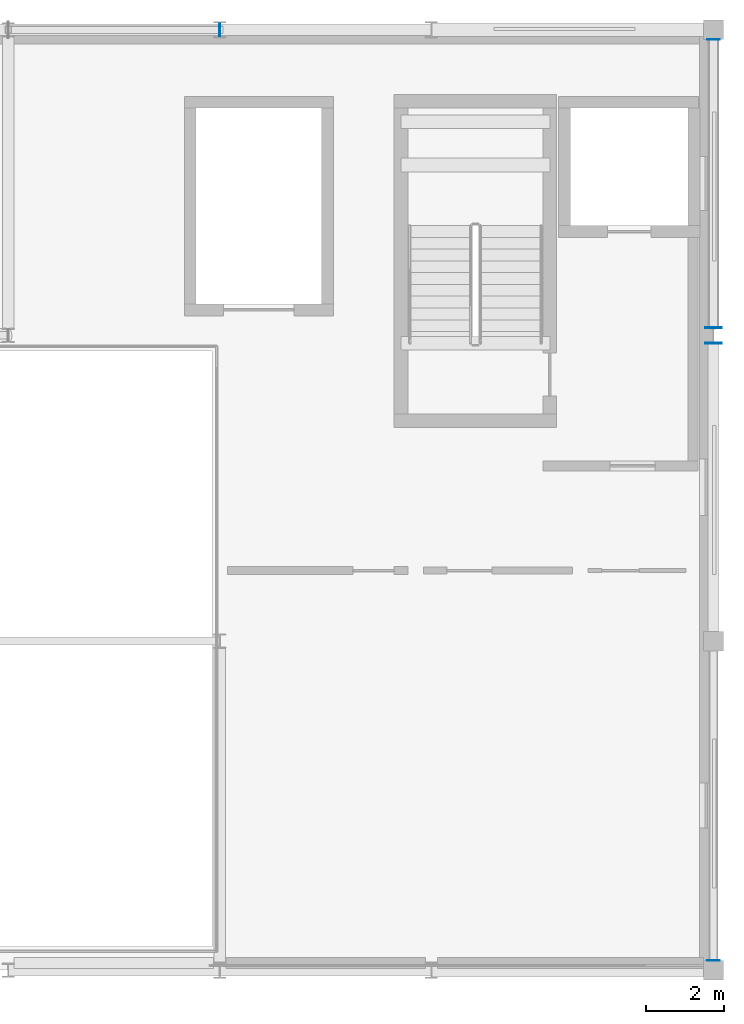
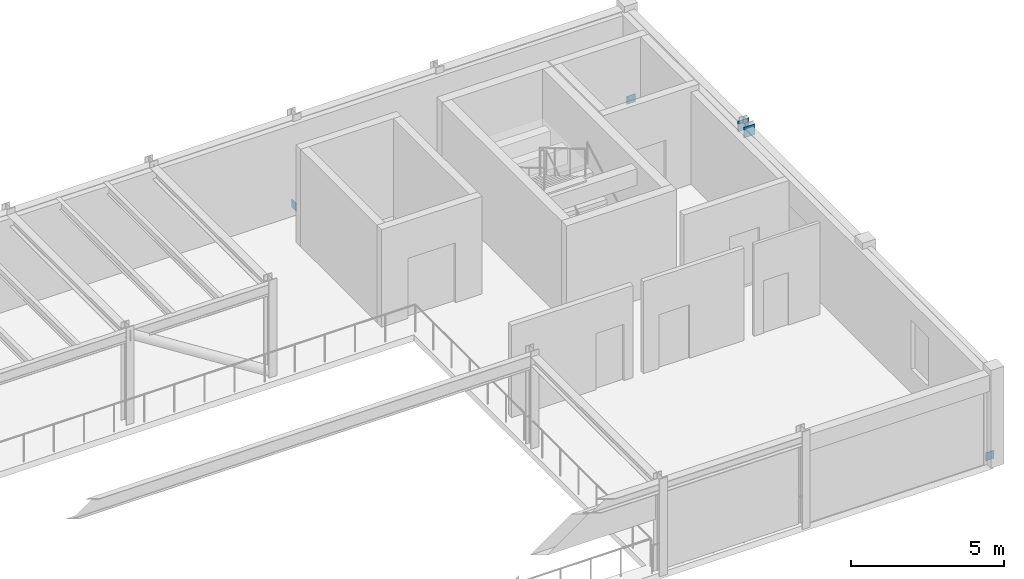
# One storey, part 6 of 12: 5 plates.
"""IFC4 building model written with IfcOpenShell, lengths in metres."""

from ifc_helpers import new_model, si_unit, direction, frame, origin, origin_2d, place, context, subcontext, project, spatial, rectangle, extrude, material, layer, layer_set, type_object, element, save


model = new_model("IFC4")

# Units and contexts
model_context = context("Model", 3, precision=1e-05, world=origin(), true_north=direction((0.0, 1.0)))
body_context = subcontext(model_context, "Body", "Model", "MODEL_VIEW")
ifc_project = project(units=[si_unit("LENGTHUNIT", "METRE"), si_unit("AREAUNIT", "SQUARE_METRE"), si_unit("VOLUMEUNIT", "CUBIC_METRE"), si_unit("PLANEANGLEUNIT", "RADIAN"), si_unit("MASSUNIT", "GRAM", prefix="KILO")], contexts=[model_context])

# Site, building, storey
site_placement = place(None, origin())
site = spatial("IfcSite", under=ifc_project, at=site_placement, CompositionType="ELEMENT")
building_placement = place(site_placement, origin())
building = spatial("IfcBuilding", under=site, at=building_placement, Name="Tazoul Stagehouse", CompositionType="ELEMENT")
storey_placement = place(building_placement, frame((0.0, 0.0, 17.10009765625)))
storey = spatial("IfcBuildingStorey", under=building, at=storey_placement, Name="L04", CompositionType="ELEMENT", Elevation=17.10009765625)

# Plates
ifc_material = material(Name="Steel S355", Category="steel")
ifc_layer_1 = layer(ifc_material, 0.02001953125, Name="Steel S355")
ifc_layer_set_1 = layer_set([ifc_layer_1], Name="Steel S355")
plate_type_1 = type_object("IfcPlateType", Name="Steel Brace End-Cap Plate 320x320x20 (Exterior)", PredefinedType="USERDEFINED", material=ifc_layer_set_1)
for number, where, z_axis, x_axis, name in (
    (1, (102.60009765625, 88.050048828125, -0.0400390625), (0.0, 0.0, 1.0), (0.0, 1.0, 0.0), "L04 Gusset End-Cap Plate GP-01E (BR-FT-L04-E1-1)"),
    (2, (102.60009765625, 111.550048828125, -0.0400390625), (0.0, 0.0, 1.0), (0.0, -1.0, 0.0), "L04 Gusset End-Cap Plate GP-01E (BR-FT-L04-E2-1)"),
    (3, (90.0, 111.800048828125, -0.01025390625), (0.0, 0.0, 1.0), (-1.0, 0.0, 0.0), "L04 Gusset End-Cap Plate GP-01E (BR-FT-L04-N2-1)"),
):
    element("IfcPlate", number, at=place(storey_placement, frame(where, z_axis=z_axis, x_axis=x_axis)), inside=storey, type_object=plate_type_1, Name=name, ObjectType="GUSSET PLATE", PredefinedType="USERDEFINED", context=body_context, shape_type="SweptSolid", body=[
        extrude(rectangle(XDim=0.02001953125, YDim=0.320068359375, at=origin_2d()), origin(), (0.0, 0.0, 1.0), 0.320068359375),
    ])
ifc_layer_2 = layer(ifc_material, 0.02392578125, Name="Steel S355")
ifc_layer_set_2 = layer_set([ifc_layer_2], Name="Steel S355")
plate_type_2 = type_object("IfcPlateType", Name="Steel Gusset Node Plate 420x420x24 (Exterior)", PredefinedType="USERDEFINED", material=ifc_layer_set_2)
for number, where, z_axis, x_axis, name in (
    (4, (102.60009765625, 103.800048828125, 3.33984375), (0.0, 0.0, 1.0), (0.0, 1.0, 0.0), "L04 Gusset End-Cap Plate GP-02E (BR-FT-L04-E1-2)"),
    (5, (102.60009765625, 104.199951171875, 3.33984375), (0.0, 0.0, 1.0), (0.0, -1.0, 0.0), "L04 Gusset End-Cap Plate GP-02E (BR-FT-L04-E2-2)"),
):
    element("IfcPlate", number, at=place(storey_placement, frame(where, z_axis=z_axis, x_axis=x_axis)), inside=storey, type_object=plate_type_2, Name=name, ObjectType="GUSSET PLATE", PredefinedType="USERDEFINED", context=body_context, shape_type="SweptSolid", body=[
        extrude(rectangle(XDim=0.02392578125, YDim=0.419921875, at=origin_2d()), origin(), (0.0, 0.0, 1.0), 0.419921875),
    ])

save(model, "model.ifc")
